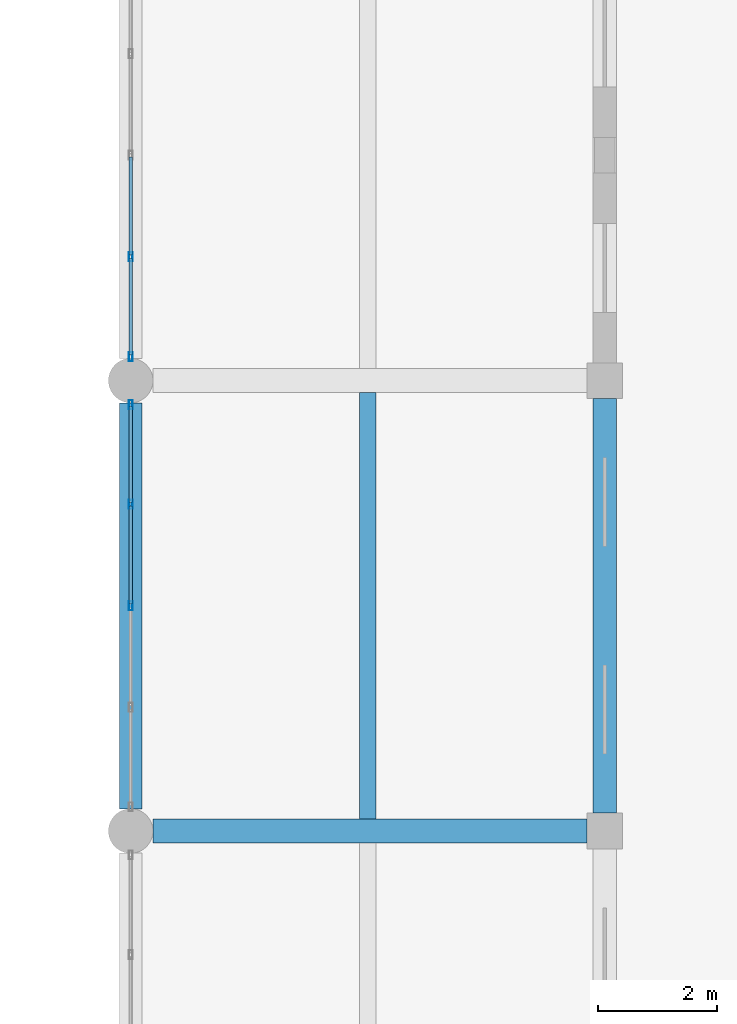
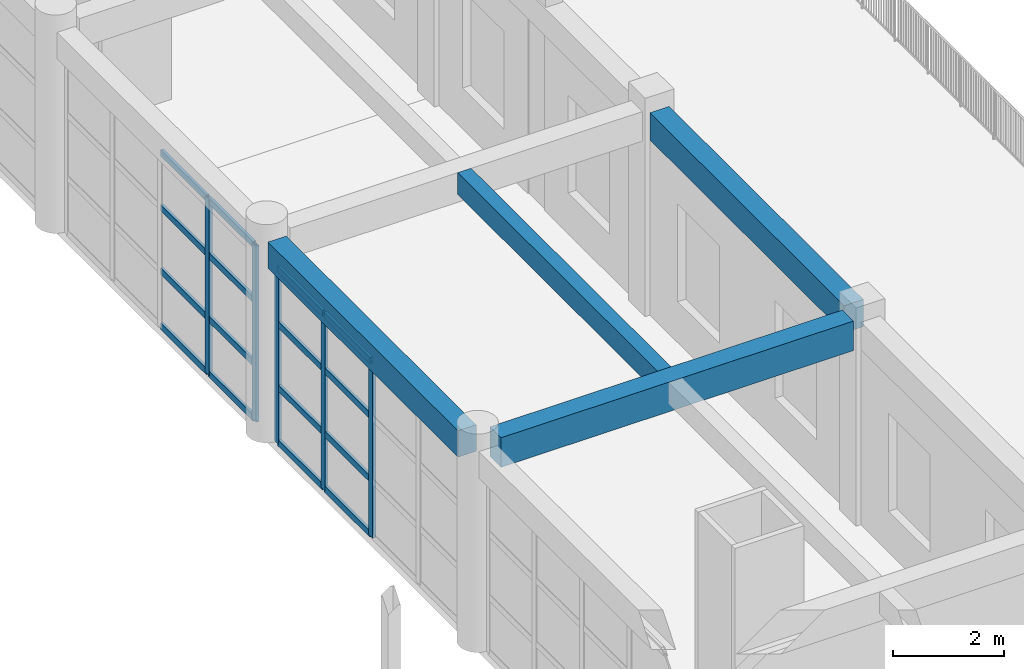
# One storey, part 53 of 101: 21 members, 4 beams, 2 elements without a shape of their own.
"""IFC4 building model written with IfcOpenShell, lengths in metres."""

from ifc_helpers import new_model, si_unit, direction, frame, origin, origin_2d, place, context, subcontext, project, spatial, rectangle, hollow_rectangle, extrude, material, material_profile, profile_set, type_object, element, aggregate, save


model = new_model("IFC4")

# Units and contexts
model_context = context("Model", 3, precision=1e-05, world=origin(), true_north=direction((0.0, 1.0)))
body_context = subcontext(model_context, "Body", "Model", "MODEL_VIEW")
ifc_project = project(units=[si_unit("LENGTHUNIT", "METRE"), si_unit("AREAUNIT", "SQUARE_METRE"), si_unit("VOLUMEUNIT", "CUBIC_METRE"), si_unit("PLANEANGLEUNIT", "RADIAN"), si_unit("MASSUNIT", "GRAM", prefix="KILO")], contexts=[model_context])

# Site, building, storey
site_placement = place(None, origin())
site = spatial("IfcSite", under=ifc_project, at=site_placement, CompositionType="ELEMENT")
building_placement = place(site_placement, origin())
building = spatial("IfcBuilding", under=site, at=building_placement, Name="Zantavel Square City Hall", CompositionType="ELEMENT")
storey_placement = place(building_placement, frame((0.0, 0.0, 5.39990234375)))
storey = spatial("IfcBuildingStorey", under=building, at=storey_placement, Name="L02", CompositionType="ELEMENT", Elevation=5.39990234375)

# Beam
ifc_material_1 = material(Name="Concrete C35/45", Category="concrete")
ifc_material_profile_1 = material_profile(ifc_material_1, rectangle(XDim=0.3798828125, YDim=0.580078125, at=origin_2d()), Name="RC 380x580")
ifc_profile_set_1 = profile_set([ifc_material_profile_1], Name="Concrete C35/45")
beam_type_1 = type_object("IfcBeamType", Name="Annex Secondary Beam RC 380x580 C35/45", PredefinedType="BEAM", material=ifc_profile_set_1)
beam_1_placement = place(storey_placement, frame((152.0, 45.97509765625, 4.16015625), z_axis=(0.0, 1.0, 0.0), x_axis=(-1.0, 0.0, 0.0)))
element("IfcBeam", 1, at=beam_1_placement, inside=storey, type_object=beam_type_1, Name="L02 Beam BMY-L02-1520-0456", PredefinedType="BEAM", context=body_context, shape_type="SweptSolid", body=[
    extrude(rectangle(XDim=0.3798828125, YDim=0.580078125, at=origin_2d()), origin(), (0.0, 0.0, 1.0), 6.849853515625),
])

# Curtain wall, members
ifc_material_2 = material(Name="Anodised aluminium 6063-T6", Category="aluminium")
curtain_wall_type = type_object("IfcCurtainWallType", Name="Curtain Wall CRT 6850x3870", PredefinedType="USERDEFINED", material=ifc_material_2)
curtain_wall_1_placement = place(storey_placement, origin())
curtain_wall_1 = element("IfcCurtainWall", 2, at=curtain_wall_1_placement, inside=storey, type_object=curtain_wall_type, Name="L02 Glazed Curtain Wall CW-L02-056", ObjectType="GLAZED CURTAIN WALL", PredefinedType="USERDEFINED")
ifc_material_profile_2 = material_profile(ifc_material_2, hollow_rectangle(XDim=0.06494140625, YDim=0.14990234375, WallThickness=0.00390625, at=origin_2d()), Name="ALU 65x150x4")
ifc_profile_set_2 = profile_set([ifc_material_profile_2], Name="Anodised aluminium 6063-T6")
member_type_1 = type_object("IfcMemberType", Name="CW Mullion ALU 65x150x4", PredefinedType="MULLION", material=ifc_profile_set_2)
member_1_placement = place(storey_placement, frame((152.0, 49.39990234375, 0.0), z_axis=(0.0, 0.0, 1.0), x_axis=(-1.0, 0.0, 0.0)))
member_1 = element("IfcMember", 3, at=member_1_placement, type_object=member_type_1, Name="CW-056 mullion 3", PredefinedType="MULLION", context=body_context, shape_type="SweptSolid", body=[
    extrude(hollow_rectangle(XDim=0.06494140625, YDim=0.14990234375, WallThickness=0.00390625, at=origin_2d()), origin(), (0.0, 0.0, 1.0), 3.8701171875),
])
member_2_placement = place(storey_placement, frame((152.0, 51.112548828125, 0.0), z_axis=(0.0, 0.0, 1.0), x_axis=(-1.0, 0.0, 0.0)))
member_2 = element("IfcMember", 4, at=member_2_placement, type_object=member_type_1, Name="CW-056 mullion 4", PredefinedType="MULLION", context=body_context, shape_type="SweptSolid", body=[
    extrude(hollow_rectangle(XDim=0.06494140625, YDim=0.14990234375, WallThickness=0.00390625, at=origin_2d()), origin(), (0.0, 0.0, 1.0), 3.8701171875),
])
member_3_placement = place(storey_placement, frame((152.0, 52.794921875, 0.0), z_axis=(0.0, 0.0, 1.0), x_axis=(-1.0, 0.0, 0.0)))
member_3 = element("IfcMember", 5, at=member_3_placement, type_object=member_type_1, Name="CW-056 mullion 5", PredefinedType="MULLION", context=body_context, shape_type="SweptSolid", body=[
    extrude(hollow_rectangle(XDim=0.06494140625, YDim=0.14990234375, WallThickness=0.00390625, at=origin_2d()), origin(), (0.0, 0.0, 1.0), 3.8701171875),
])

curtain_wall_2_placement = place(storey_placement, origin())
curtain_wall_2 = element("IfcCurtainWall", 6, at=curtain_wall_2_placement, inside=storey, type_object=curtain_wall_type, Name="L02 Glazed Curtain Wall CW-L02-057", ObjectType="GLAZED CURTAIN WALL", PredefinedType="USERDEFINED")
member_4_placement = place(storey_placement, frame((152.0, 53.60498046875, 0.0), z_axis=(0.0, 0.0, 1.0), x_axis=(-1.0, 0.0, 0.0)))
member_4 = element("IfcMember", 7, at=member_4_placement, type_object=member_type_1, Name="CW-057 mullion 1", PredefinedType="MULLION", context=body_context, shape_type="SweptSolid", body=[
    extrude(hollow_rectangle(XDim=0.06494140625, YDim=0.14990234375, WallThickness=0.00390625, at=origin_2d()), origin(), (0.0, 0.0, 1.0), 3.8701171875),
])
member_5_placement = place(storey_placement, frame((152.0, 55.28759765625, 0.0), z_axis=(0.0, 0.0, 1.0), x_axis=(-1.0, 0.0, 0.0)))
member_5 = element("IfcMember", 8, at=member_5_placement, type_object=member_type_1, Name="CW-057 mullion 2", PredefinedType="MULLION", context=body_context, shape_type="SweptSolid", body=[
    extrude(hollow_rectangle(XDim=0.06494140625, YDim=0.14990234375, WallThickness=0.00390625, at=origin_2d()), origin(), (0.0, 0.0, 1.0), 3.8701171875),
])

# Member
ifc_material_profile_3 = material_profile(ifc_material_2, hollow_rectangle(XDim=0.06005859375, YDim=0.139892578125, WallThickness=0.00390625, at=origin_2d()), Name="ALU 60x140x4")
ifc_profile_set_3 = profile_set([ifc_material_profile_3], Name="Anodised aluminium 6063-T6")
member_type_2 = type_object("IfcMemberType", Name="CW Transom ALU 60x140x4", PredefinedType="USERDEFINED", material=ifc_profile_set_3)
member_6_placement = place(storey_placement, frame((152.0, 49.429931640625, 0.030029296875), z_axis=(0.0, 1.0, 0.0), x_axis=(-1.0, 0.0, 0.0)))
member_6 = element("IfcMember", 9, at=member_6_placement, type_object=member_type_2, Name="CW-056 transom 3.1", ObjectType="TRANSOM", PredefinedType="USERDEFINED", context=body_context, shape_type="SweptSolid", body=[
    extrude(hollow_rectangle(XDim=0.06005859375, YDim=0.139892578125, WallThickness=0.00390625, at=origin_2d()), origin(), (0.0, 0.0, 1.0), 1.652587890625),
])

member_7_placement = place(storey_placement, frame((152.0, 49.429931640625, 1.238037109375), z_axis=(0.0, 1.0, 0.0), x_axis=(-1.0, 0.0, 0.0)))
member_7 = element("IfcMember", 10, at=member_7_placement, type_object=member_type_2, Name="CW-056 transom 3.2", ObjectType="TRANSOM", PredefinedType="USERDEFINED", context=body_context, shape_type="SweptSolid", body=[
    extrude(hollow_rectangle(XDim=0.06005859375, YDim=0.139892578125, WallThickness=0.00390625, at=origin_2d()), origin(), (0.0, 0.0, 1.0), 1.652587890625),
])

member_8_placement = place(storey_placement, frame((152.0, 49.429931640625, 2.632080078125), z_axis=(0.0, 1.0, 0.0), x_axis=(-1.0, 0.0, 0.0)))
member_8 = element("IfcMember", 11, at=member_8_placement, type_object=member_type_2, Name="CW-056 transom 3.3", ObjectType="TRANSOM", PredefinedType="USERDEFINED", context=body_context, shape_type="SweptSolid", body=[
    extrude(hollow_rectangle(XDim=0.06005859375, YDim=0.139892578125, WallThickness=0.00390625, at=origin_2d()), origin(), (0.0, 0.0, 1.0), 1.652587890625),
])

member_9_placement = place(storey_placement, frame((152.0, 49.429931640625, 3.840087890625), z_axis=(0.0, 1.0, 0.0), x_axis=(-1.0, 0.0, 0.0)))
member_9 = element("IfcMember", 12, at=member_9_placement, type_object=member_type_2, Name="CW-056 transom 3.4", ObjectType="TRANSOM", PredefinedType="USERDEFINED", context=body_context, shape_type="SweptSolid", body=[
    extrude(hollow_rectangle(XDim=0.06005859375, YDim=0.139892578125, WallThickness=0.00390625, at=origin_2d()), origin(), (0.0, 0.0, 1.0), 1.652587890625),
])

member_10_placement = place(storey_placement, frame((152.0, 51.142578125, 0.030029296875), z_axis=(0.0, 1.0, 0.0), x_axis=(-1.0, 0.0, 0.0)))
member_10 = element("IfcMember", 13, at=member_10_placement, type_object=member_type_2, Name="CW-056 transom 4.1", ObjectType="TRANSOM", PredefinedType="USERDEFINED", context=body_context, shape_type="SweptSolid", body=[
    extrude(hollow_rectangle(XDim=0.06005859375, YDim=0.139892578125, WallThickness=0.00390625, at=origin_2d()), origin(), (0.0, 0.0, 1.0), 1.622314453125),
])

member_11_placement = place(storey_placement, frame((152.0, 51.142578125, 1.238037109375), z_axis=(0.0, 1.0, 0.0), x_axis=(-1.0, 0.0, 0.0)))
member_11 = element("IfcMember", 14, at=member_11_placement, type_object=member_type_2, Name="CW-056 transom 4.2", ObjectType="TRANSOM", PredefinedType="USERDEFINED", context=body_context, shape_type="SweptSolid", body=[
    extrude(hollow_rectangle(XDim=0.06005859375, YDim=0.139892578125, WallThickness=0.00390625, at=origin_2d()), origin(), (0.0, 0.0, 1.0), 1.622314453125),
])

member_12_placement = place(storey_placement, frame((152.0, 51.142578125, 2.632080078125), z_axis=(0.0, 1.0, 0.0), x_axis=(-1.0, 0.0, 0.0)))
member_12 = element("IfcMember", 15, at=member_12_placement, type_object=member_type_2, Name="CW-056 transom 4.3", ObjectType="TRANSOM", PredefinedType="USERDEFINED", context=body_context, shape_type="SweptSolid", body=[
    extrude(hollow_rectangle(XDim=0.06005859375, YDim=0.139892578125, WallThickness=0.00390625, at=origin_2d()), origin(), (0.0, 0.0, 1.0), 1.622314453125),
])

member_13_placement = place(storey_placement, frame((152.0, 51.142578125, 3.840087890625), z_axis=(0.0, 1.0, 0.0), x_axis=(-1.0, 0.0, 0.0)))
member_13 = element("IfcMember", 16, at=member_13_placement, type_object=member_type_2, Name="CW-056 transom 4.4", ObjectType="TRANSOM", PredefinedType="USERDEFINED", context=body_context, shape_type="SweptSolid", body=[
    extrude(hollow_rectangle(XDim=0.06005859375, YDim=0.139892578125, WallThickness=0.00390625, at=origin_2d()), origin(), (0.0, 0.0, 1.0), 1.622314453125),
])

aggregate(curtain_wall_1, [member_1, member_2, member_3, member_6, member_7, member_8, member_9, member_10, member_11, member_12, member_13])

member_14_placement = place(storey_placement, frame((152.0, 53.635009765625, 0.030029296875), z_axis=(0.0, 1.0, 0.0), x_axis=(-1.0, 0.0, 0.0)))
member_14 = element("IfcMember", 17, at=member_14_placement, type_object=member_type_2, Name="CW-057 transom 1.1", ObjectType="TRANSOM", PredefinedType="USERDEFINED", context=body_context, shape_type="SweptSolid", body=[
    extrude(hollow_rectangle(XDim=0.06005859375, YDim=0.139892578125, WallThickness=0.00390625, at=origin_2d()), origin(), (0.0, 0.0, 1.0), 1.62255859375),
])

member_15_placement = place(storey_placement, frame((152.0, 53.635009765625, 1.238037109375), z_axis=(0.0, 1.0, 0.0), x_axis=(-1.0, 0.0, 0.0)))
member_15 = element("IfcMember", 18, at=member_15_placement, type_object=member_type_2, Name="CW-057 transom 1.2", ObjectType="TRANSOM", PredefinedType="USERDEFINED", context=body_context, shape_type="SweptSolid", body=[
    extrude(hollow_rectangle(XDim=0.06005859375, YDim=0.139892578125, WallThickness=0.00390625, at=origin_2d()), origin(), (0.0, 0.0, 1.0), 1.62255859375),
])

member_16_placement = place(storey_placement, frame((152.0, 53.635009765625, 2.632080078125), z_axis=(0.0, 1.0, 0.0), x_axis=(-1.0, 0.0, 0.0)))
member_16 = element("IfcMember", 19, at=member_16_placement, type_object=member_type_2, Name="CW-057 transom 1.3", ObjectType="TRANSOM", PredefinedType="USERDEFINED", context=body_context, shape_type="SweptSolid", body=[
    extrude(hollow_rectangle(XDim=0.06005859375, YDim=0.139892578125, WallThickness=0.00390625, at=origin_2d()), origin(), (0.0, 0.0, 1.0), 1.62255859375),
])

member_17_placement = place(storey_placement, frame((152.0, 53.635009765625, 3.840087890625), z_axis=(0.0, 1.0, 0.0), x_axis=(-1.0, 0.0, 0.0)))
member_17 = element("IfcMember", 20, at=member_17_placement, type_object=member_type_2, Name="CW-057 transom 1.4", ObjectType="TRANSOM", PredefinedType="USERDEFINED", context=body_context, shape_type="SweptSolid", body=[
    extrude(hollow_rectangle(XDim=0.06005859375, YDim=0.139892578125, WallThickness=0.00390625, at=origin_2d()), origin(), (0.0, 0.0, 1.0), 1.62255859375),
])

member_18_placement = place(storey_placement, frame((152.0, 55.3173828125, 0.030029296875), z_axis=(0.0, 1.0, 0.0), x_axis=(-1.0, 0.0, 0.0)))
member_18 = element("IfcMember", 21, at=member_18_placement, type_object=member_type_2, Name="CW-057 transom 2.1", ObjectType="TRANSOM", PredefinedType="USERDEFINED", context=body_context, shape_type="SweptSolid", body=[
    extrude(hollow_rectangle(XDim=0.06005859375, YDim=0.139892578125, WallThickness=0.00390625, at=origin_2d()), origin(), (0.0, 0.0, 1.0), 1.652587890625),
])

member_19_placement = place(storey_placement, frame((152.0, 55.3173828125, 1.238037109375), z_axis=(0.0, 1.0, 0.0), x_axis=(-1.0, 0.0, 0.0)))
member_19 = element("IfcMember", 22, at=member_19_placement, type_object=member_type_2, Name="CW-057 transom 2.2", ObjectType="TRANSOM", PredefinedType="USERDEFINED", context=body_context, shape_type="SweptSolid", body=[
    extrude(hollow_rectangle(XDim=0.06005859375, YDim=0.139892578125, WallThickness=0.00390625, at=origin_2d()), origin(), (0.0, 0.0, 1.0), 1.652587890625),
])

member_20_placement = place(storey_placement, frame((152.0, 55.3173828125, 2.632080078125), z_axis=(0.0, 1.0, 0.0), x_axis=(-1.0, 0.0, 0.0)))
member_20 = element("IfcMember", 23, at=member_20_placement, type_object=member_type_2, Name="CW-057 transom 2.3", ObjectType="TRANSOM", PredefinedType="USERDEFINED", context=body_context, shape_type="SweptSolid", body=[
    extrude(hollow_rectangle(XDim=0.06005859375, YDim=0.139892578125, WallThickness=0.00390625, at=origin_2d()), origin(), (0.0, 0.0, 1.0), 1.652587890625),
])

member_21_placement = place(storey_placement, frame((152.0, 55.3173828125, 3.840087890625), z_axis=(0.0, 1.0, 0.0), x_axis=(-1.0, 0.0, 0.0)))
member_21 = element("IfcMember", 24, at=member_21_placement, type_object=member_type_2, Name="CW-057 transom 2.4", ObjectType="TRANSOM", PredefinedType="USERDEFINED", context=body_context, shape_type="SweptSolid", body=[
    extrude(hollow_rectangle(XDim=0.06005859375, YDim=0.139892578125, WallThickness=0.00390625, at=origin_2d()), origin(), (0.0, 0.0, 1.0), 1.652587890625),
])

aggregate(curtain_wall_2, [member_4, member_5, member_14, member_15, member_16, member_17, member_18, member_19, member_20, member_21])

# Beams
ifc_material_profile_4 = material_profile(ifc_material_1, rectangle(XDim=0.39990234375, YDim=0.64990234375, at=origin_2d()), Name="RC 400x650")
ifc_profile_set_4 = profile_set([ifc_material_profile_4], Name="Concrete C35/45")
beam_type_2 = type_object("IfcBeamType", Name="Frame Beam RC 400x650 C35/45", PredefinedType="BEAM", material=ifc_profile_set_4)
beam_2_placement = place(storey_placement, frame((152.375, 45.60009765625, 4.125), z_axis=(1.0, 0.0, 0.0), x_axis=(0.0, 1.0, 0.0)))
element("IfcBeam", 25, at=beam_2_placement, inside=storey, type_object=beam_type_2, Name="L02 Girder BMX-L02-1520-0456", PredefinedType="BEAM", context=body_context, shape_type="SweptSolid", body=[
    extrude(rectangle(XDim=0.39990234375, YDim=0.64990234375, at=origin_2d()), origin(), (0.0, 0.0, 1.0), 7.324951171875),
])
ifc_material_profile_5 = material_profile(ifc_material_1, rectangle(XDim=0.39990234375, YDim=0.60009765625, at=origin_2d()), Name="RC 400x600")
ifc_profile_set_5 = profile_set([ifc_material_profile_5], Name="Concrete C35/45")
beam_type_3 = type_object("IfcBeamType", Name="Perimeter Spandrel RC 400x600 C35/45", PredefinedType="SPANDREL", material=ifc_profile_set_5)
beam_3_placement = place(storey_placement, frame((160.0, 45.89990234375, 4.150146484375), z_axis=(0.0, 1.0, 0.0), x_axis=(-1.0, 0.0, 0.0)))
element("IfcBeam", 26, at=beam_3_placement, inside=storey, type_object=beam_type_3, Name="L02 Beam BMY-L02-1600-0456", PredefinedType="SPANDREL", context=body_context, shape_type="SweptSolid", body=[
    extrude(rectangle(XDim=0.39990234375, YDim=0.60009765625, at=origin_2d()), origin(), (0.0, 0.0, 1.0), 7.0),
])
ifc_material_profile_6 = material_profile(ifc_material_1, rectangle(XDim=0.280029296875, YDim=0.47998046875, at=origin_2d()), Name="RC 280x480")
ifc_profile_set_6 = profile_set([ifc_material_profile_6], Name="Concrete C35/45")
beam_type_4 = type_object("IfcBeamType", Name="Terrace Deck Joist RC 280x480 C35/45", PredefinedType="JOIST", material=ifc_profile_set_6)
beam_4_placement = place(storey_placement, frame((156.0, 45.800048828125, 4.210205078125), z_axis=(0.0, 1.0, 0.0), x_axis=(-1.0, 0.0, 0.0)))
element("IfcBeam", 27, at=beam_4_placement, inside=storey, type_object=beam_type_4, Name="L02 Floor Joist JST-L02-1560-0456", PredefinedType="JOIST", context=body_context, shape_type="SweptSolid", body=[
    extrude(rectangle(XDim=0.280029296875, YDim=0.47998046875, at=origin_2d()), origin(), (0.0, 0.0, 1.0), 7.199951171875),
])

save(model, "model.ifc")
